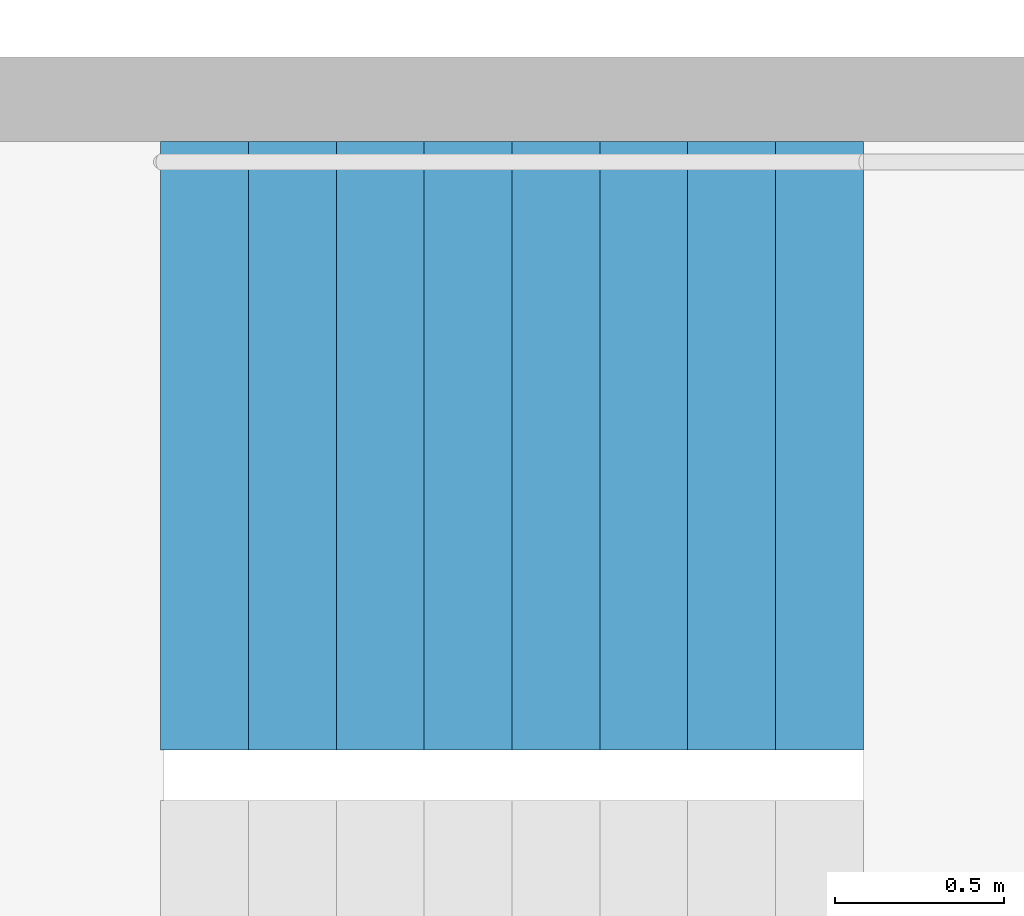
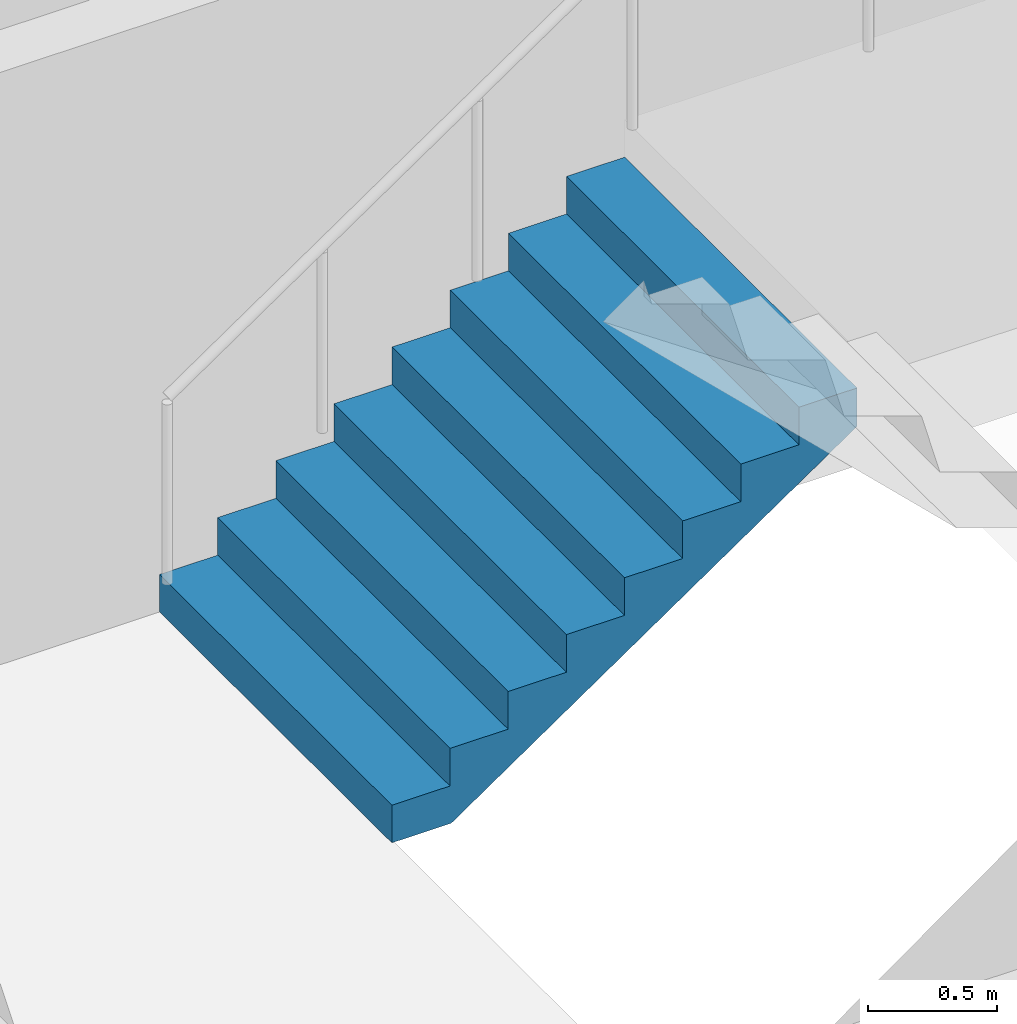
# One storey, part 26 of 29: 1 stair flight, 1 element without a shape of its own.
"""IFC4 building model written with IfcOpenShell, lengths in metres."""

from ifc_helpers import new_model, si_unit, direction, frame, origin, place, context, subcontext, project, spatial, triangles, material, type_object, element, aggregate, save


model = new_model("IFC4")

# Units and contexts
model_context = context("Model", 3, precision=1e-05, world=origin(), true_north=direction((0.0, 1.0)))
body_context = subcontext(model_context, "Body", "Model", "MODEL_VIEW")
ifc_project = project(units=[si_unit("LENGTHUNIT", "METRE"), si_unit("AREAUNIT", "SQUARE_METRE"), si_unit("VOLUMEUNIT", "CUBIC_METRE"), si_unit("PLANEANGLEUNIT", "RADIAN"), si_unit("MASSUNIT", "GRAM", prefix="KILO")], contexts=[model_context])

# Site, building, storey
site_placement = place(None, origin())
site = spatial("IfcSite", under=ifc_project, at=site_placement, CompositionType="ELEMENT")
building_placement = place(site_placement, origin())
building = spatial("IfcBuilding", under=site, at=building_placement, Name="Hakoniwa Tower and Hamabe Station Hall", CompositionType="ELEMENT")
storey_placement = place(building_placement, frame((0.0, 0.0, 55.0)))
storey = spatial("IfcBuildingStorey", under=building, at=storey_placement, Name="L15", CompositionType="ELEMENT", Elevation=55.0)

# Stair, stair flight
ifc_material_1 = material(Name="Concrete C40", Category="concrete")
stair_type = type_object("IfcStairType", Name="ESCAPE STAIR 1800", PredefinedType="HALF_TURN_STAIR", material=ifc_material_1)
stair_placement = place(storey_placement, origin())
stair = element("IfcStair", 1, at=stair_placement, inside=storey, type_object=stair_type, Name="Escape stair ST-4 L15", PredefinedType="HALF_TURN_STAIR")
ifc_material_2 = material(Name="Concrete C40", Category="concrete")
stair_flight_type = type_object("IfcStairFlightType", Name="STAIR FLIGHT 1800", PredefinedType="STRAIGHT", material=ifc_material_2)
stair_flight_placement = place(storey_placement, frame((23.39990234375, -4.64990234375, 0.0), z_axis=(0.0, 0.0, 1.0), x_axis=(1.0, 0.0, 0.0)))
stair_flight = element("IfcStairFlight", 2, at=stair_flight_placement, type_object=stair_flight_type, Name="ST-4 flight 1", NumberOfRisers=9, NumberOfTreads=8, PredefinedType="STRAIGHT", RiserHeight=0.177777778, TreadLength=0.26, context=body_context, shape_type="Tessellation", body=[
    triangles([(0.0, 0.89990234375, 0.0), (0.260009765625, 0.89990234375, 0.0), (0.265625, 0.89990234375, 0.0), (0.52001953125, 0.89990234375, 0.174072265625), (0.780029296875, 0.89990234375, 0.351806640625), (1.0400390625, 0.89990234375, 0.529541015625), (1.300048828125, 0.89990234375, 0.707275390625), (1.56005859375, 0.89990234375, 0.885009765625), (1.820068359375, 0.89990234375, 1.062744140625), (2.080078125, 0.89990234375, 1.24072265625), (2.080078125, 0.89990234375, 1.422119140625), (1.820068359375, 0.89990234375, 1.422119140625), (1.820068359375, 0.89990234375, 1.244384765625), (1.56005859375, 0.89990234375, 1.244384765625), (1.56005859375, 0.89990234375, 1.066650390625), (1.300048828125, 0.89990234375, 1.066650390625), (1.300048828125, 0.89990234375, 0.888916015625), (1.0400390625, 0.89990234375, 0.888916015625), (1.0400390625, 0.89990234375, 0.711181640625), (0.780029296875, 0.89990234375, 0.711181640625), (0.780029296875, 0.89990234375, 0.533447265625), (0.52001953125, 0.89990234375, 0.533447265625), (0.52001953125, 0.89990234375, 0.35546875), (0.265625, 0.89990234375, 0.35546875), (0.260009765625, 0.89990234375, 0.35546875), (0.260009765625, 0.89990234375, 0.177734375), (0.0, 0.89990234375, 0.177734375), (0.0, 0.06005859375, 0.0), (0.260009765625, 0.06005859375, 0.0), (0.265625, 0.06005859375, 0.0), (0.52001953125, 0.06005859375, 0.174072265625), (0.780029296875, 0.06005859375, 0.351806640625), (1.0400390625, 0.06005859375, 0.529541015625), (1.300048828125, 0.06005859375, 0.707275390625), (1.56005859375, 0.06005859375, 0.885009765625), (1.820068359375, 0.06005859375, 1.062744140625), (2.080078125, 0.06005859375, 1.24072265625), (2.080078125, 0.06005859375, 1.422119140625), (1.820068359375, 0.06005859375, 1.422119140625), (1.820068359375, 0.06005859375, 1.244384765625), (1.56005859375, 0.06005859375, 1.244384765625), (1.56005859375, 0.06005859375, 1.066650390625), (1.300048828125, 0.06005859375, 1.066650390625), (1.300048828125, 0.06005859375, 0.888916015625), (1.0400390625, 0.06005859375, 0.888916015625), (1.0400390625, 0.06005859375, 0.711181640625), (0.780029296875, 0.06005859375, 0.711181640625), (0.780029296875, 0.06005859375, 0.533447265625), (0.52001953125, 0.06005859375, 0.533447265625), (0.52001953125, 0.06005859375, 0.35546875), (0.265625, 0.06005859375, 0.35546875), (0.260009765625, 0.06005859375, 0.35546875), (0.260009765625, 0.06005859375, 0.177734375), (0.0, 0.06005859375, 0.177734375), (0.0, 0.04296875, 0.0), (0.260009765625, 0.04296875, 0.0), (0.265625, 0.04296875, 0.0), (0.52001953125, 0.04296875, 0.174072265625), (0.780029296875, 0.04296875, 0.351806640625), (1.0400390625, 0.04296875, 0.529541015625), (1.300048828125, 0.04296875, 0.707275390625), (1.56005859375, 0.04296875, 0.885009765625), (1.820068359375, 0.04296875, 1.062744140625), (2.080078125, 0.04296875, 1.24072265625), (2.080078125, 0.04296875, 1.422119140625), (1.820068359375, 0.04296875, 1.422119140625), (1.820068359375, 0.04296875, 1.244384765625), (1.56005859375, 0.04296875, 1.244384765625), (1.56005859375, 0.04296875, 1.066650390625), (1.300048828125, 0.04296875, 1.066650390625), (1.300048828125, 0.04296875, 0.888916015625), (1.0400390625, 0.04296875, 0.888916015625), (1.0400390625, 0.04296875, 0.711181640625), (0.780029296875, 0.04296875, 0.711181640625), (0.780029296875, 0.04296875, 0.533447265625), (0.52001953125, 0.04296875, 0.533447265625), (0.52001953125, 0.04296875, 0.35546875), (0.265625, 0.04296875, 0.35546875), (0.260009765625, 0.04296875, 0.35546875), (0.260009765625, 0.04296875, 0.177734375), (0.0, 0.04296875, 0.177734375), (0.0, 0.025634765625, 0.0), (0.260009765625, 0.025634765625, 0.0), (0.265625, 0.025634765625, 0.0), (0.52001953125, 0.025634765625, 0.174072265625), (0.780029296875, 0.025634765625, 0.351806640625), (1.0400390625, 0.025634765625, 0.529541015625), (1.300048828125, 0.025634765625, 0.707275390625), (1.56005859375, 0.025634765625, 0.885009765625), (1.820068359375, 0.025634765625, 1.062744140625), (2.080078125, 0.025634765625, 1.24072265625), (2.080078125, 0.025634765625, 1.422119140625), (1.820068359375, 0.025634765625, 1.422119140625), (1.820068359375, 0.025634765625, 1.244384765625), (1.56005859375, 0.025634765625, 1.244384765625), (1.56005859375, 0.025634765625, 1.066650390625), (1.300048828125, 0.025634765625, 1.066650390625), (1.300048828125, 0.025634765625, 0.888916015625), (1.0400390625, 0.025634765625, 0.888916015625), (1.0400390625, 0.025634765625, 0.711181640625), (0.780029296875, 0.025634765625, 0.711181640625), (0.780029296875, 0.025634765625, 0.533447265625), (0.52001953125, 0.025634765625, 0.533447265625), (0.52001953125, 0.025634765625, 0.35546875), (0.265625, 0.025634765625, 0.35546875), (0.260009765625, 0.025634765625, 0.35546875), (0.260009765625, 0.025634765625, 0.177734375), (0.0, 0.025634765625, 0.177734375), (0.0, 0.008544921875, 0.0), (0.260009765625, 0.008544921875, 0.0), (0.265625, 0.008544921875, 0.0), (0.52001953125, 0.008544921875, 0.174072265625), (0.780029296875, 0.008544921875, 0.351806640625), (1.0400390625, 0.008544921875, 0.529541015625), (1.300048828125, 0.008544921875, 0.707275390625), (1.56005859375, 0.008544921875, 0.885009765625), (1.820068359375, 0.008544921875, 1.062744140625), (2.080078125, 0.008544921875, 1.24072265625), (2.080078125, 0.008544921875, 1.422119140625), (1.820068359375, 0.008544921875, 1.422119140625), (1.820068359375, 0.008544921875, 1.244384765625), (1.56005859375, 0.008544921875, 1.244384765625), (1.56005859375, 0.008544921875, 1.066650390625), (1.300048828125, 0.008544921875, 1.066650390625), (1.300048828125, 0.008544921875, 0.888916015625), (1.0400390625, 0.008544921875, 0.888916015625), (1.0400390625, 0.008544921875, 0.711181640625), (0.780029296875, 0.008544921875, 0.711181640625), (0.780029296875, 0.008544921875, 0.533447265625), (0.52001953125, 0.008544921875, 0.533447265625), (0.52001953125, 0.008544921875, 0.35546875), (0.265625, 0.008544921875, 0.35546875), (0.260009765625, 0.008544921875, 0.35546875), (0.260009765625, 0.008544921875, 0.177734375), (0.0, 0.008544921875, 0.177734375), (0.0, -0.008544921875, 0.0), (0.260009765625, -0.008544921875, 0.0), (0.265625, -0.008544921875, 0.0), (0.52001953125, -0.008544921875, 0.174072265625), (0.780029296875, -0.008544921875, 0.351806640625), (1.0400390625, -0.008544921875, 0.529541015625), (1.300048828125, -0.008544921875, 0.707275390625), (1.56005859375, -0.008544921875, 0.885009765625), (1.820068359375, -0.008544921875, 1.062744140625), (2.080078125, -0.008544921875, 1.24072265625), (2.080078125, -0.008544921875, 1.422119140625), (1.820068359375, -0.008544921875, 1.422119140625), (1.820068359375, -0.008544921875, 1.244384765625), (1.56005859375, -0.008544921875, 1.244384765625), (1.56005859375, -0.008544921875, 1.066650390625), (1.300048828125, -0.008544921875, 1.066650390625), (1.300048828125, -0.008544921875, 0.888916015625), (1.0400390625, -0.008544921875, 0.888916015625), (1.0400390625, -0.008544921875, 0.711181640625), (0.780029296875, -0.008544921875, 0.711181640625), (0.780029296875, -0.008544921875, 0.533447265625), (0.52001953125, -0.008544921875, 0.533447265625), (0.52001953125, -0.008544921875, 0.35546875), (0.265625, -0.008544921875, 0.35546875), (0.260009765625, -0.008544921875, 0.35546875), (0.260009765625, -0.008544921875, 0.177734375), (0.0, -0.008544921875, 0.177734375), (0.0, -0.025634765625, 0.0), (0.260009765625, -0.025634765625, 0.0), (0.265625, -0.025634765625, 0.0), (0.52001953125, -0.025634765625, 0.174072265625), (0.780029296875, -0.025634765625, 0.351806640625), (1.0400390625, -0.025634765625, 0.529541015625), (1.300048828125, -0.025634765625, 0.707275390625), (1.56005859375, -0.025634765625, 0.885009765625), (1.820068359375, -0.025634765625, 1.062744140625), (2.080078125, -0.025634765625, 1.24072265625), (2.080078125, -0.025634765625, 1.422119140625), (1.820068359375, -0.025634765625, 1.422119140625), (1.820068359375, -0.025634765625, 1.244384765625), (1.56005859375, -0.025634765625, 1.244384765625), (1.56005859375, -0.025634765625, 1.066650390625), (1.300048828125, -0.025634765625, 1.066650390625), (1.300048828125, -0.025634765625, 0.888916015625), (1.0400390625, -0.025634765625, 0.888916015625), (1.0400390625, -0.025634765625, 0.711181640625), (0.780029296875, -0.025634765625, 0.711181640625), (0.780029296875, -0.025634765625, 0.533447265625), (0.52001953125, -0.025634765625, 0.533447265625), (0.52001953125, -0.025634765625, 0.35546875), (0.265625, -0.025634765625, 0.35546875), (0.260009765625, -0.025634765625, 0.35546875), (0.260009765625, -0.025634765625, 0.177734375), (0.0, -0.025634765625, 0.177734375), (0.0, -0.04296875, 0.0), (0.260009765625, -0.04296875, 0.0), (0.265625, -0.04296875, 0.0), (0.52001953125, -0.04296875, 0.174072265625), (0.780029296875, -0.04296875, 0.351806640625), (1.0400390625, -0.04296875, 0.529541015625), (1.300048828125, -0.04296875, 0.707275390625), (1.56005859375, -0.04296875, 0.885009765625), (1.820068359375, -0.04296875, 1.062744140625), (2.080078125, -0.04296875, 1.24072265625), (2.080078125, -0.04296875, 1.422119140625), (1.820068359375, -0.04296875, 1.422119140625), (1.820068359375, -0.04296875, 1.244384765625), (1.56005859375, -0.04296875, 1.244384765625), (1.56005859375, -0.04296875, 1.066650390625), (1.300048828125, -0.04296875, 1.066650390625), (1.300048828125, -0.04296875, 0.888916015625), (1.0400390625, -0.04296875, 0.888916015625), (1.0400390625, -0.04296875, 0.711181640625), (0.780029296875, -0.04296875, 0.711181640625), (0.780029296875, -0.04296875, 0.533447265625), (0.52001953125, -0.04296875, 0.533447265625), (0.52001953125, -0.04296875, 0.35546875), (0.265625, -0.04296875, 0.35546875), (0.260009765625, -0.04296875, 0.35546875), (0.260009765625, -0.04296875, 0.177734375), (0.0, -0.04296875, 0.177734375), (0.0, -0.06005859375, 0.0), (0.260009765625, -0.06005859375, 0.0), (0.265625, -0.06005859375, 0.0), (0.52001953125, -0.06005859375, 0.174072265625), (0.780029296875, -0.06005859375, 0.351806640625), (1.0400390625, -0.06005859375, 0.529541015625), (1.300048828125, -0.06005859375, 0.707275390625), (1.56005859375, -0.06005859375, 0.885009765625), (1.820068359375, -0.06005859375, 1.062744140625), (2.080078125, -0.06005859375, 1.24072265625), (2.080078125, -0.06005859375, 1.422119140625), (1.820068359375, -0.06005859375, 1.422119140625), (1.820068359375, -0.06005859375, 1.244384765625), (1.56005859375, -0.06005859375, 1.244384765625), (1.56005859375, -0.06005859375, 1.066650390625), (1.300048828125, -0.06005859375, 1.066650390625), (1.300048828125, -0.06005859375, 0.888916015625), (1.0400390625, -0.06005859375, 0.888916015625), (1.0400390625, -0.06005859375, 0.711181640625), (0.780029296875, -0.06005859375, 0.711181640625), (0.780029296875, -0.06005859375, 0.533447265625), (0.52001953125, -0.06005859375, 0.533447265625), (0.52001953125, -0.06005859375, 0.35546875), (0.265625, -0.06005859375, 0.35546875), (0.260009765625, -0.06005859375, 0.35546875), (0.260009765625, -0.06005859375, 0.177734375), (0.0, -0.06005859375, 0.177734375), (0.0, -0.89990234375, 0.0), (0.260009765625, -0.89990234375, 0.0), (0.265625, -0.89990234375, 0.0), (0.52001953125, -0.89990234375, 0.174072265625), (0.780029296875, -0.89990234375, 0.351806640625), (1.0400390625, -0.89990234375, 0.529541015625), (1.300048828125, -0.89990234375, 0.707275390625), (1.56005859375, -0.89990234375, 0.885009765625), (1.820068359375, -0.89990234375, 1.062744140625), (2.080078125, -0.89990234375, 1.24072265625), (2.080078125, -0.89990234375, 1.422119140625), (1.820068359375, -0.89990234375, 1.422119140625), (1.820068359375, -0.89990234375, 1.244384765625), (1.56005859375, -0.89990234375, 1.244384765625), (1.56005859375, -0.89990234375, 1.066650390625), (1.300048828125, -0.89990234375, 1.066650390625), (1.300048828125, -0.89990234375, 0.888916015625), (1.0400390625, -0.89990234375, 0.888916015625), (1.0400390625, -0.89990234375, 0.711181640625), (0.780029296875, -0.89990234375, 0.711181640625), (0.780029296875, -0.89990234375, 0.533447265625), (0.52001953125, -0.89990234375, 0.533447265625), (0.52001953125, -0.89990234375, 0.35546875), (0.265625, -0.89990234375, 0.35546875), (0.260009765625, -0.89990234375, 0.35546875), (0.260009765625, -0.89990234375, 0.177734375), (0.0, -0.89990234375, 0.177734375)], [[2, 27, 26], [245, 269, 270], [2, 1, 27], [245, 270, 244], [3, 25, 24], [246, 267, 268], [3, 26, 25], [246, 268, 269], [3, 2, 26], [246, 269, 245], [4, 24, 23], [247, 266, 267], [4, 3, 24], [247, 267, 246], [5, 22, 21], [248, 264, 265], [5, 23, 22], [248, 265, 266], [5, 4, 23], [248, 266, 247], [6, 20, 19], [249, 262, 263], [6, 21, 20], [249, 263, 264], [6, 5, 21], [249, 264, 248], [7, 18, 17], [250, 260, 261], [7, 19, 18], [250, 261, 262], [7, 6, 19], [250, 262, 249], [8, 16, 15], [251, 258, 259], [8, 17, 16], [251, 259, 260], [8, 7, 17], [251, 260, 250], [9, 14, 13], [252, 256, 257], [9, 15, 14], [252, 257, 258], [9, 8, 15], [252, 258, 251], [10, 12, 11], [253, 254, 255], [10, 13, 12], [253, 255, 256], [10, 9, 13], [253, 256, 252], [1, 2, 29], [1, 29, 28], [28, 29, 56], [28, 56, 55], [55, 56, 83], [55, 83, 82], [82, 83, 110], [82, 110, 109], [109, 110, 137], [109, 137, 136], [136, 137, 164], [136, 164, 163], [163, 164, 191], [163, 191, 190], [190, 191, 218], [190, 218, 217], [217, 218, 245], [217, 245, 244], [2, 3, 30], [2, 30, 29], [29, 30, 57], [29, 57, 56], [56, 57, 84], [56, 84, 83], [83, 84, 111], [83, 111, 110], [110, 111, 138], [110, 138, 137], [137, 138, 165], [137, 165, 164], [164, 165, 192], [164, 192, 191], [191, 192, 219], [191, 219, 218], [218, 219, 246], [218, 246, 245], [3, 4, 31], [3, 31, 30], [30, 31, 58], [30, 58, 57], [57, 58, 85], [57, 85, 84], [84, 85, 112], [84, 112, 111], [111, 112, 139], [111, 139, 138], [138, 139, 166], [138, 166, 165], [165, 166, 193], [165, 193, 192], [192, 193, 220], [192, 220, 219], [219, 220, 247], [219, 247, 246], [4, 5, 32], [4, 32, 31], [31, 32, 59], [31, 59, 58], [58, 59, 86], [58, 86, 85], [85, 86, 113], [85, 113, 112], [112, 113, 140], [112, 140, 139], [139, 140, 167], [139, 167, 166], [166, 167, 194], [166, 194, 193], [193, 194, 221], [193, 221, 220], [220, 221, 248], [220, 248, 247], [5, 6, 33], [5, 33, 32], [32, 33, 60], [32, 60, 59], [59, 60, 87], [59, 87, 86], [86, 87, 114], [86, 114, 113], [113, 114, 141], [113, 141, 140], [140, 141, 168], [140, 168, 167], [167, 168, 195], [167, 195, 194], [194, 195, 222], [194, 222, 221], [221, 222, 249], [221, 249, 248], [6, 7, 34], [6, 34, 33], [33, 34, 61], [33, 61, 60], [60, 61, 88], [60, 88, 87], [87, 88, 115], [87, 115, 114], [114, 115, 142], [114, 142, 141], [141, 142, 169], [141, 169, 168], [168, 169, 196], [168, 196, 195], [195, 196, 223], [195, 223, 222], [222, 223, 250], [222, 250, 249], [7, 8, 35], [7, 35, 34], [34, 35, 62], [34, 62, 61], [61, 62, 89], [61, 89, 88], [88, 89, 116], [88, 116, 115], [115, 116, 143], [115, 143, 142], [142, 143, 170], [142, 170, 169], [169, 170, 197], [169, 197, 196], [196, 197, 224], [196, 224, 223], [223, 224, 251], [223, 251, 250], [8, 9, 36], [8, 36, 35], [35, 36, 63], [35, 63, 62], [62, 63, 90], [62, 90, 89], [89, 90, 117], [89, 117, 116], [116, 117, 144], [116, 144, 143], [143, 144, 171], [143, 171, 170], [170, 171, 198], [170, 198, 197], [197, 198, 225], [197, 225, 224], [224, 225, 252], [224, 252, 251], [9, 10, 37], [9, 37, 36], [36, 37, 64], [36, 64, 63], [63, 64, 91], [63, 91, 90], [90, 91, 118], [90, 118, 117], [117, 118, 145], [117, 145, 144], [144, 145, 172], [144, 172, 171], [171, 172, 199], [171, 199, 198], [198, 199, 226], [198, 226, 225], [225, 226, 253], [225, 253, 252], [10, 11, 38], [10, 38, 37], [37, 38, 65], [37, 65, 64], [64, 65, 92], [64, 92, 91], [91, 92, 119], [91, 119, 118], [118, 119, 146], [118, 146, 145], [145, 146, 173], [145, 173, 172], [172, 173, 200], [172, 200, 199], [199, 200, 227], [199, 227, 226], [226, 227, 254], [226, 254, 253], [11, 12, 39], [11, 39, 38], [38, 39, 66], [38, 66, 65], [65, 66, 93], [65, 93, 92], [92, 93, 120], [92, 120, 119], [119, 120, 147], [119, 147, 146], [146, 147, 174], [146, 174, 173], [173, 174, 201], [173, 201, 200], [200, 201, 228], [200, 228, 227], [227, 228, 255], [227, 255, 254], [12, 13, 40], [12, 40, 39], [39, 40, 67], [39, 67, 66], [66, 67, 94], [66, 94, 93], [93, 94, 121], [93, 121, 120], [120, 121, 148], [120, 148, 147], [147, 148, 175], [147, 175, 174], [174, 175, 202], [174, 202, 201], [201, 202, 229], [201, 229, 228], [228, 229, 256], [228, 256, 255], [13, 14, 41], [13, 41, 40], [40, 41, 68], [40, 68, 67], [67, 68, 95], [67, 95, 94], [94, 95, 122], [94, 122, 121], [121, 122, 149], [121, 149, 148], [148, 149, 176], [148, 176, 175], [175, 176, 203], [175, 203, 202], [202, 203, 230], [202, 230, 229], [229, 230, 257], [229, 257, 256], [14, 15, 42], [14, 42, 41], [41, 42, 69], [41, 69, 68], [68, 69, 96], [68, 96, 95], [95, 96, 123], [95, 123, 122], [122, 123, 150], [122, 150, 149], [149, 150, 177], [149, 177, 176], [176, 177, 204], [176, 204, 203], [203, 204, 231], [203, 231, 230], [230, 231, 258], [230, 258, 257], [15, 16, 43], [15, 43, 42], [42, 43, 70], [42, 70, 69], [69, 70, 97], [69, 97, 96], [96, 97, 124], [96, 124, 123], [123, 124, 151], [123, 151, 150], [150, 151, 178], [150, 178, 177], [177, 178, 205], [177, 205, 204], [204, 205, 232], [204, 232, 231], [231, 232, 259], [231, 259, 258], [16, 17, 44], [16, 44, 43], [43, 44, 71], [43, 71, 70], [70, 71, 98], [70, 98, 97], [97, 98, 125], [97, 125, 124], [124, 125, 152], [124, 152, 151], [151, 152, 179], [151, 179, 178], [178, 179, 206], [178, 206, 205], [205, 206, 233], [205, 233, 232], [232, 233, 260], [232, 260, 259], [17, 18, 45], [17, 45, 44], [44, 45, 72], [44, 72, 71], [71, 72, 99], [71, 99, 98], [98, 99, 126], [98, 126, 125], [125, 126, 153], [125, 153, 152], [152, 153, 180], [152, 180, 179], [179, 180, 207], [179, 207, 206], [206, 207, 234], [206, 234, 233], [233, 234, 261], [233, 261, 260], [18, 19, 46], [18, 46, 45], [45, 46, 73], [45, 73, 72], [72, 73, 100], [72, 100, 99], [99, 100, 127], [99, 127, 126], [126, 127, 154], [126, 154, 153], [153, 154, 181], [153, 181, 180], [180, 181, 208], [180, 208, 207], [207, 208, 235], [207, 235, 234], [234, 235, 262], [234, 262, 261], [19, 20, 47], [19, 47, 46], [46, 47, 74], [46, 74, 73], [73, 74, 101], [73, 101, 100], [100, 101, 128], [100, 128, 127], [127, 128, 155], [127, 155, 154], [154, 155, 182], [154, 182, 181], [181, 182, 209], [181, 209, 208], [208, 209, 236], [208, 236, 235], [235, 236, 263], [235, 263, 262], [20, 21, 48], [20, 48, 47], [47, 48, 75], [47, 75, 74], [74, 75, 102], [74, 102, 101], [101, 102, 129], [101, 129, 128], [128, 129, 156], [128, 156, 155], [155, 156, 183], [155, 183, 182], [182, 183, 210], [182, 210, 209], [209, 210, 237], [209, 237, 236], [236, 237, 264], [236, 264, 263], [21, 22, 49], [21, 49, 48], [48, 49, 76], [48, 76, 75], [75, 76, 103], [75, 103, 102], [102, 103, 130], [102, 130, 129], [129, 130, 157], [129, 157, 156], [156, 157, 184], [156, 184, 183], [183, 184, 211], [183, 211, 210], [210, 211, 238], [210, 238, 237], [237, 238, 265], [237, 265, 264], [22, 23, 50], [22, 50, 49], [49, 50, 77], [49, 77, 76], [76, 77, 104], [76, 104, 103], [103, 104, 131], [103, 131, 130], [130, 131, 158], [130, 158, 157], [157, 158, 185], [157, 185, 184], [184, 185, 212], [184, 212, 211], [211, 212, 239], [211, 239, 238], [238, 239, 266], [238, 266, 265], [23, 24, 51], [23, 51, 50], [50, 51, 78], [50, 78, 77], [77, 78, 105], [77, 105, 104], [104, 105, 132], [104, 132, 131], [131, 132, 159], [131, 159, 158], [158, 159, 186], [158, 186, 185], [185, 186, 213], [185, 213, 212], [212, 213, 240], [212, 240, 239], [239, 240, 267], [239, 267, 266], [24, 25, 52], [24, 52, 51], [51, 52, 79], [51, 79, 78], [78, 79, 106], [78, 106, 105], [105, 106, 133], [105, 133, 132], [132, 133, 160], [132, 160, 159], [159, 160, 187], [159, 187, 186], [186, 187, 214], [186, 214, 213], [213, 214, 241], [213, 241, 240], [240, 241, 268], [240, 268, 267], [25, 26, 53], [25, 53, 52], [52, 53, 80], [52, 80, 79], [79, 80, 107], [79, 107, 106], [106, 107, 134], [106, 134, 133], [133, 134, 161], [133, 161, 160], [160, 161, 188], [160, 188, 187], [187, 188, 215], [187, 215, 214], [214, 215, 242], [214, 242, 241], [241, 242, 269], [241, 269, 268], [26, 27, 54], [26, 54, 53], [53, 54, 81], [53, 81, 80], [80, 81, 108], [80, 108, 107], [107, 108, 135], [107, 135, 134], [134, 135, 162], [134, 162, 161], [161, 162, 189], [161, 189, 188], [188, 189, 216], [188, 216, 215], [215, 216, 243], [215, 243, 242], [242, 243, 270], [242, 270, 269], [27, 1, 28], [27, 28, 54], [54, 28, 55], [54, 55, 81], [81, 55, 82], [81, 82, 108], [108, 82, 109], [108, 109, 135], [135, 109, 136], [135, 136, 162], [162, 136, 163], [162, 163, 189], [189, 163, 190], [189, 190, 216], [216, 190, 217], [216, 217, 243], [243, 217, 244], [243, 244, 270]], closed=True),
])
aggregate(stair, [stair_flight])

save(model, "model.ifc")
